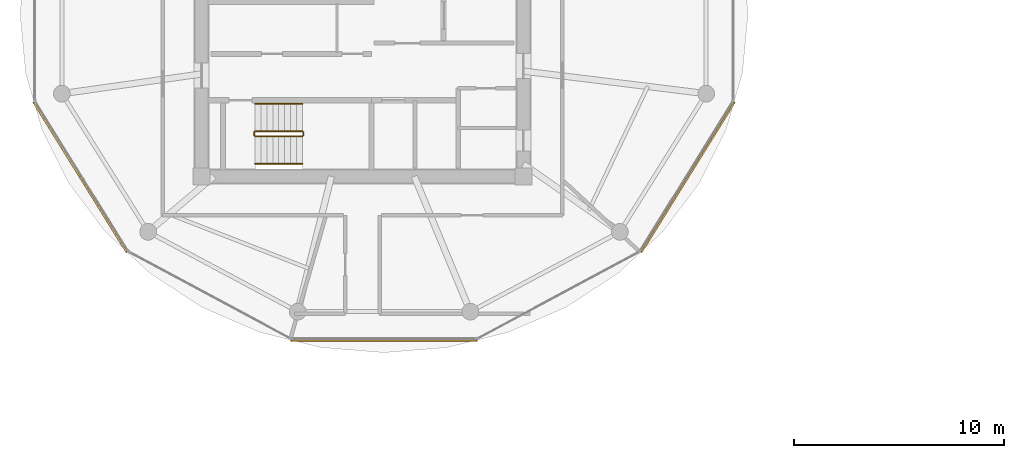
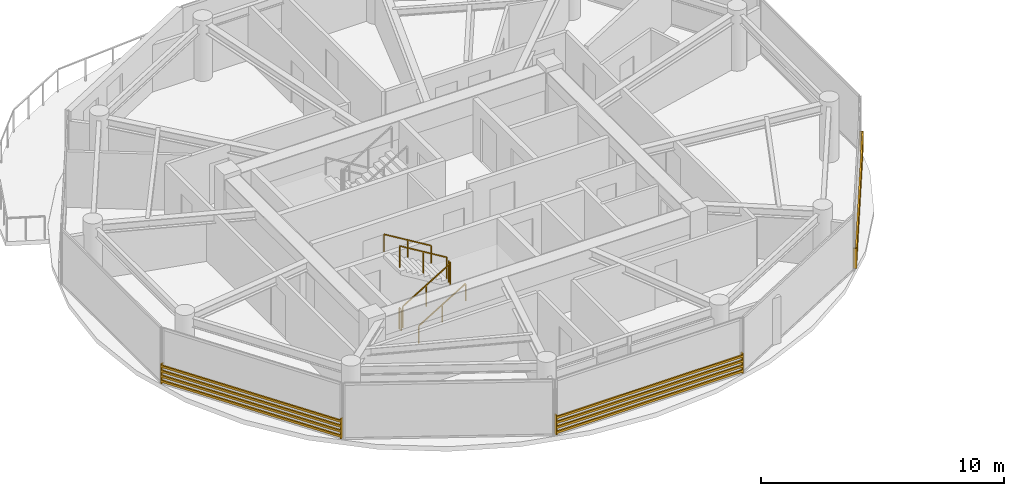
# One storey, part 18 of 21: 6 railings, 3 shading devices.
"""IFC4 building model written with IfcOpenShell, lengths in metres."""

from ifc_helpers import new_model, si_unit, direction, frame, origin, origin_2d, place, context, subcontext, project, spatial, rectangle, extrude, source, transform, mapped, material, type_object, type_shapes, element, save


model = new_model("IFC4")

# Units and contexts
model_context = context("Model", 3, precision=1e-05, world=origin(), true_north=direction((0.0, 1.0)))
body_context = subcontext(model_context, "Body", "Model", "MODEL_VIEW")
ifc_project = project(units=[si_unit("LENGTHUNIT", "METRE"), si_unit("AREAUNIT", "SQUARE_METRE"), si_unit("VOLUMEUNIT", "CUBIC_METRE"), si_unit("PLANEANGLEUNIT", "RADIAN"), si_unit("MASSUNIT", "GRAM", prefix="KILO")], contexts=[model_context])

# Site, building, storey
site_placement = place(None, origin())
site = spatial("IfcSite", under=ifc_project, at=site_placement, CompositionType="ELEMENT")
building_placement = place(site_placement, origin())
building = spatial("IfcBuilding", under=site, at=building_placement, Name="Norrkilde Senior Care Towers", CompositionType="ELEMENT")
storey_placement = place(building_placement, frame((0.0, 0.0, 149.550048828125)))
storey = spatial("IfcBuildingStorey", under=building, at=storey_placement, Name="L46", CompositionType="ELEMENT", Elevation=149.550048828125)

# Railings
ifc_material_1 = material(Name="Stainless Steel", Category="steel")
railing_type_1 = type_object("IfcRailingType", Name="Stair and Terrace Guardrail 1100", PredefinedType="GUARDRAIL", material=ifc_material_1)
railing_1_placement = place(storey_placement, frame((-33.10009765625, -4.050048828125, 0.16943359375)))
element("IfcRailing", 1, at=railing_1_placement, inside=storey, type_object=railing_type_1, Name="L46 ST-W2 stair guard 1", PredefinedType="GUARDRAIL", context=body_context, shape_type="SweptSolid", body=[
    extrude(rectangle(XDim=0.048095703125, YDim=0.048095703125, at=origin_2d()), frame((0.0, 0.0, 1.076171875), z_axis=(0.855553338991, 0.0, 0.51771467445), x_axis=(0.0, 1.0, 0.0)), (0.0, 0.0, 1.0), 2.6181640625),
    extrude(rectangle(XDim=0.0419921875, YDim=0.0419921875, at=origin_2d()), origin(), (0.0, 0.0, 1.0), 1.050048828125),
    extrude(rectangle(XDim=0.0419921875, YDim=0.0419921875, at=origin_2d()), frame((1.1201171875, 0.0, 0.677734375)), (0.0, 0.0, 1.0), 1.050048828125),
    extrude(rectangle(XDim=0.0419921875, YDim=0.0419921875, at=origin_2d()), frame((2.239990234375, 0.0, 1.35546875)), (0.0, 0.0, 1.0), 1.050048828125),
])
railing_2_placement = place(storey_placement, frame((-30.81005859375, -4.0, 1.52490234375)))
element("IfcRailing", 2, at=railing_2_placement, inside=storey, type_object=railing_type_1, Name="L46 ST-W2 stair guard 2", PredefinedType="GUARDRAIL", context=body_context, shape_type="SweptSolid", body=[
    extrude(rectangle(XDim=0.048095703125, YDim=0.048095703125, at=origin_2d()), frame((0.0, 0.0, 1.076171875), z_axis=(0.0, 1.0, 0.0), x_axis=(-1.0, 0.0, 0.0)), (0.0, 0.0, 1.0), 0.14990234375),
    extrude(rectangle(XDim=0.0419921875, YDim=0.0419921875, at=origin_2d()), origin(), (0.0, 0.0, 1.0), 1.050048828125),
    extrude(rectangle(XDim=0.0419921875, YDim=0.0419921875, at=origin_2d()), frame((0.0, 0.14990234375, 0.0)), (0.0, 0.0, 1.0), 1.050048828125),
])
railing_3_placement = place(storey_placement, frame((-30.860107421875, -3.800048828125, 1.6943359375)))
element("IfcRailing", 3, at=railing_3_placement, inside=storey, type_object=railing_type_1, Name="L46 ST-W2 stair guard 3", PredefinedType="GUARDRAIL", context=body_context, shape_type="SweptSolid", body=[
    extrude(rectangle(XDim=0.048095703125, YDim=0.048095703125, at=origin_2d()), frame((0.0, 0.0, 1.076171875), z_axis=(-0.855512035549, 0.0, 0.517782924622), x_axis=(0.0, -1.0, 0.0)), (0.0, 0.0, 1.0), 2.618408203125),
    extrude(rectangle(XDim=0.0419921875, YDim=0.0419921875, at=origin_2d()), origin(), (0.0, 0.0, 1.0), 1.050048828125),
    extrude(rectangle(XDim=0.0419921875, YDim=0.0419921875, at=origin_2d()), frame((-1.1201171875, 0.0, 0.677734375)), (0.0, 0.0, 1.0), 1.050048828125),
    extrude(rectangle(XDim=0.0419921875, YDim=0.0419921875, at=origin_2d()), frame((-2.239990234375, 0.0, 1.355712890625)), (0.0, 0.0, 1.0), 1.050048828125),
])
railing_4_placement = place(storey_placement, frame((-33.14990234375, -4.0, 0.0)))
element("IfcRailing", 4, at=railing_4_placement, inside=storey, type_object=railing_type_1, Name="L46 ST-W2 stair guard 4", PredefinedType="GUARDRAIL", context=body_context, shape_type="SweptSolid", body=[
    extrude(rectangle(XDim=0.048095703125, YDim=0.048095703125, at=origin_2d()), frame((0.0, 0.0, 1.076171875), z_axis=(0.0, 1.0, 0.0), x_axis=(-1.0, 0.0, 0.0)), (0.0, 0.0, 1.0), 0.14990234375),
    extrude(rectangle(XDim=0.0419921875, YDim=0.0419921875, at=origin_2d()), origin(), (0.0, 0.0, 1.0), 1.050048828125),
    extrude(rectangle(XDim=0.0419921875, YDim=0.0419921875, at=origin_2d()), frame((0.0, 0.14990234375, 0.0)), (0.0, 0.0, 1.0), 1.050048828125),
])
ifc_material_2 = material(Name="Nordic Ash Timber", Category="wood")
railing_type_2 = type_object("IfcRailingType", Name="Wall and Stair Handrail 900", PredefinedType="HANDRAIL", material=ifc_material_2)
railing_5_placement = place(storey_placement, frame((-33.10009765625, -5.35009765625, 0.16943359375)))
element("IfcRailing", 5, at=railing_5_placement, inside=storey, type_object=railing_type_2, Name="L46 ST-W2 stair handrail 1", PredefinedType="HANDRAIL", context=body_context, shape_type="SweptSolid", body=[
    extrude(rectangle(XDim=0.048095703125, YDim=0.048095703125, at=origin_2d()), frame((0.0, 0.0, 0.8759765625), z_axis=(0.855553338991, 0.0, 0.51771467445), x_axis=(0.0, 1.0, 0.0)), (0.0, 0.0, 1.0), 2.6181640625),
    extrude(rectangle(XDim=0.0419921875, YDim=0.0419921875, at=origin_2d()), origin(), (0.0, 0.0, 1.0), 0.849853515625),
    extrude(rectangle(XDim=0.0419921875, YDim=0.0419921875, at=origin_2d()), frame((1.1201171875, 0.0, 0.677734375)), (0.0, 0.0, 1.0), 0.849853515625),
    extrude(rectangle(XDim=0.0419921875, YDim=0.0419921875, at=origin_2d()), frame((2.239990234375, 0.0, 1.35546875)), (0.0, 0.0, 1.0), 0.849853515625),
])
railing_6_placement = place(storey_placement, frame((-30.860107421875, -2.5, 1.6943359375)))
element("IfcRailing", 6, at=railing_6_placement, inside=storey, type_object=railing_type_2, Name="L46 ST-W2 stair handrail 2", PredefinedType="HANDRAIL", context=body_context, shape_type="SweptSolid", body=[
    extrude(rectangle(XDim=0.048095703125, YDim=0.048095703125, at=origin_2d()), frame((0.0, 0.0, 0.8759765625), z_axis=(-0.855512035549, 0.0, 0.517782924622), x_axis=(0.0, -1.0, 0.0)), (0.0, 0.0, 1.0), 2.618408203125),
    extrude(rectangle(XDim=0.0419921875, YDim=0.0419921875, at=origin_2d()), origin(), (0.0, 0.0, 1.0), 0.849853515625),
    extrude(rectangle(XDim=0.0419921875, YDim=0.0419921875, at=origin_2d()), frame((-1.1201171875, 0.0, 0.677734375)), (0.0, 0.0, 1.0), 0.849853515625),
    extrude(rectangle(XDim=0.0419921875, YDim=0.0419921875, at=origin_2d()), frame((-2.239990234375, 0.0, 1.355712890625)), (0.0, 0.0, 1.0), 0.849853515625),
])

# Shading devices
ifc_material_3 = material(Name="Architectural Terracotta", Category="masonry")
shading_device_type = type_object("IfcShadingDeviceType", Name="Horizontal Terracotta Baguette Rack", PredefinedType="USERDEFINED", material=ifc_material_3)
shared_shape_1 = source(origin(), body_context, "Body", "SweptSolid", [
    extrude(rectangle(XDim=0.070068359375, YDim=0.110107421875, at=origin_2d()), frame((0.0, 0.090087890625, 0.125), z_axis=(1.0, 0.0, 0.0), x_axis=(0.0, 1.0, 0.0)), (0.0, 0.0, 1.0), 8.89306640625),
    extrude(rectangle(XDim=0.070068359375, YDim=0.110107421875, at=origin_2d()), frame((0.0, 0.090087890625, 0.375), z_axis=(1.0, 0.0, 0.0), x_axis=(0.0, 1.0, 0.0)), (0.0, 0.0, 1.0), 8.89306640625),
    extrude(rectangle(XDim=0.070068359375, YDim=0.110107421875, at=origin_2d()), frame((0.0, 0.090087890625, 0.625), z_axis=(1.0, 0.0, 0.0), x_axis=(0.0, 1.0, 0.0)), (0.0, 0.0, 1.0), 8.89306640625),
    extrude(rectangle(XDim=0.070068359375, YDim=0.110107421875, at=origin_2d()), frame((0.0, 0.090087890625, 0.875), z_axis=(1.0, 0.0, 0.0), x_axis=(0.0, 1.0, 0.0)), (0.0, 0.0, 1.0), 8.89306640625),
    extrude(rectangle(XDim=0.050048828125, YDim=0.1552734375, at=origin_2d()), frame((0.02490234375, 0.047607421875, 0.0)), (0.0, 0.0, 1.0), 1.0),
    extrude(rectangle(XDim=0.050048828125, YDim=0.1552734375, at=origin_2d()), frame((8.8681640625, 0.047607421875, 0.0)), (0.0, 0.0, 1.0), 1.0),
])
shading_device_placement = place(storey_placement, frame((-22.528564453125, -13.66015625, 0.079833984375), z_axis=(0.0, 0.0, 1.0), x_axis=(-1.0, 0.0, 0.0)))
element("IfcShadingDevice", 7, at=shading_device_placement, inside=storey, type_object=shading_device_type, Name="L46 Drum W Terracotta Baguette Screen 08", ObjectType="BAGUETTE", PredefinedType="USERDEFINED", context=body_context, shape_type="MappedRepresentation", body=[
    mapped(shared_shape_1, transform((0.0, 0.0, 0.0), x_axis=(1.0, 0.0, 0.0), y_axis=(0.0, 1.0, 0.0), z_axis=(0.0, 0.0, 1.0), scale=1.0)),
])
shared_shape_2 = source(origin(), body_context, "Body", "SweptSolid", [
    extrude(rectangle(XDim=0.070068359375, YDim=0.110107421875, at=origin_2d()), frame((0.0, 0.090087890625, 0.125), z_axis=(1.0, 0.0, 0.0), x_axis=(0.0, 1.0, 0.0)), (0.0, 0.0, 1.0), 8.431396484375),
    extrude(rectangle(XDim=0.070068359375, YDim=0.110107421875, at=origin_2d()), frame((0.0, 0.090087890625, 0.375), z_axis=(1.0, 0.0, 0.0), x_axis=(0.0, 1.0, 0.0)), (0.0, 0.0, 1.0), 8.431396484375),
    extrude(rectangle(XDim=0.070068359375, YDim=0.110107421875, at=origin_2d()), frame((0.0, 0.090087890625, 0.625), z_axis=(1.0, 0.0, 0.0), x_axis=(0.0, 1.0, 0.0)), (0.0, 0.0, 1.0), 8.431396484375),
    extrude(rectangle(XDim=0.070068359375, YDim=0.110107421875, at=origin_2d()), frame((0.0, 0.090087890625, 0.875), z_axis=(1.0, 0.0, 0.0), x_axis=(0.0, 1.0, 0.0)), (0.0, 0.0, 1.0), 8.431396484375),
    extrude(rectangle(XDim=0.050048828125, YDim=0.1552734375, at=origin_2d()), frame((0.02490234375, 0.047607421875, 0.0)), (0.0, 0.0, 1.0), 1.0),
    extrude(rectangle(XDim=0.050048828125, YDim=0.1552734375, at=origin_2d()), frame((8.40625, 0.047607421875, 0.0)), (0.0, 0.0, 1.0), 1.0),
])
type_shapes(shading_device_type, [shared_shape_1, shared_shape_2])
for number, where, z_axis, x_axis, name in (
    (8, (-39.123046875, -9.524169921875, 0.079833984375), (0.0, 0.0, 1.0), (-0.527378022296, 0.849630809324, 0.0), "L46 Drum W Terracotta Baguette Screen 06"),
    (9, (-10.38037109375, -2.360595703125, 0.079833984375), (0.0, 0.0, 1.0), (-0.527378022296, -0.849630809324, 0.0), "L46 Drum W Terracotta Baguette Screen 10"),
):
    element("IfcShadingDevice", number, at=place(storey_placement, frame(where, z_axis=z_axis, x_axis=x_axis)), inside=storey, type_object=shading_device_type, Name=name, ObjectType="BAGUETTE", PredefinedType="USERDEFINED", context=body_context, shape_type="MappedRepresentation", body=[
        mapped(shared_shape_2, transform((0.0, 0.0, 0.0), x_axis=(1.0, 0.0, 0.0), y_axis=(0.0, 1.0, 0.0), z_axis=(0.0, 0.0, 1.0), scale=1.0)),
    ])

save(model, "model.ifc")
